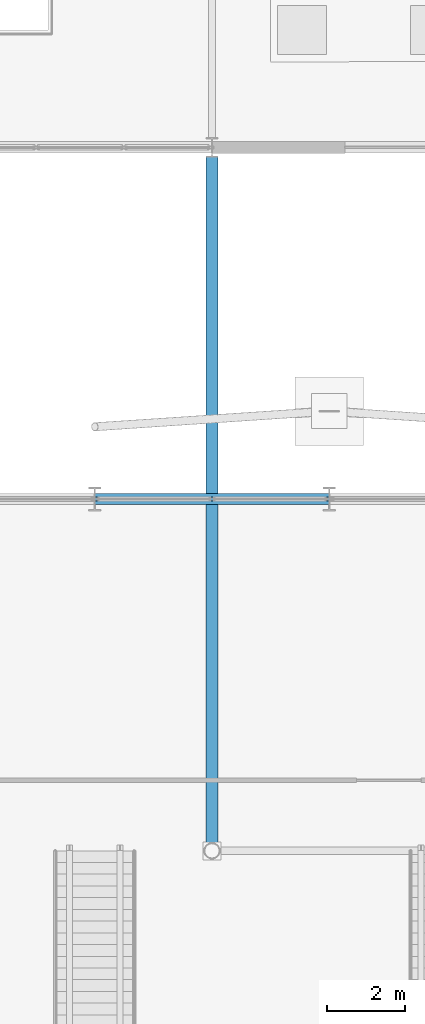
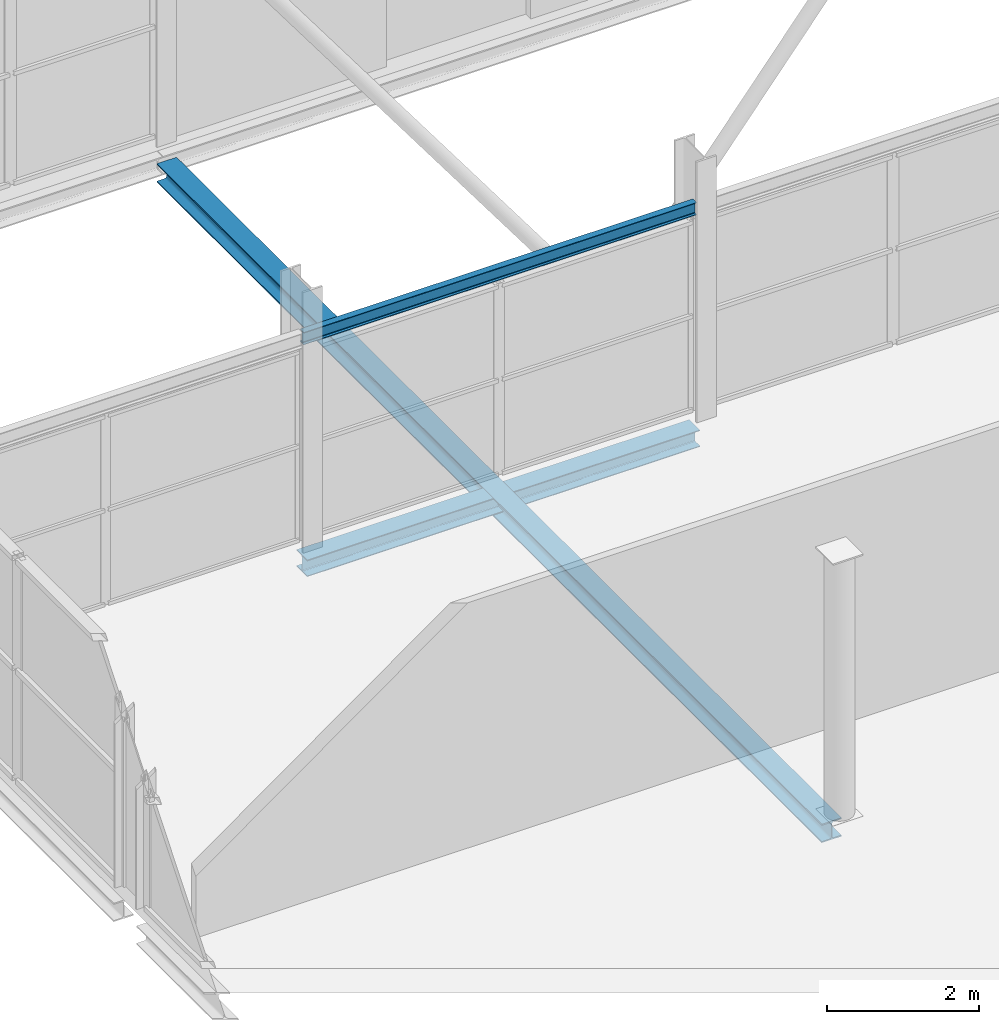
# One storey, part 38 of 140: 3 beams.
"""IFC4 building model written with IfcOpenShell, lengths in metres."""

from ifc_helpers import new_model, si_unit, direction, frame, origin, origin_2d, place, context, subcontext, project, spatial, i_section, extrude, material, material_profile, profile_set, type_object, element, save


model = new_model("IFC4")

# Units and contexts
model_context = context("Model", 3, precision=1e-05, world=origin(), true_north=direction((0.0, 1.0)))
body_context = subcontext(model_context, "Body", "Model", "MODEL_VIEW")
ifc_project = project(units=[si_unit("LENGTHUNIT", "METRE"), si_unit("AREAUNIT", "SQUARE_METRE"), si_unit("VOLUMEUNIT", "CUBIC_METRE"), si_unit("PLANEANGLEUNIT", "RADIAN"), si_unit("MASSUNIT", "GRAM", prefix="KILO")], contexts=[model_context])

# Site, building, storey
site_placement = place(None, origin())
site = spatial("IfcSite", under=ifc_project, at=site_placement, CompositionType="ELEMENT")
building_placement = place(site_placement, origin())
building = spatial("IfcBuilding", under=site, at=building_placement, Name="Deido Ridge Mobility Hub", CompositionType="ELEMENT")
storey_placement = place(building_placement, origin())
storey = spatial("IfcBuildingStorey", under=building, at=storey_placement, Name="L00", CompositionType="ELEMENT", Elevation=0.0)

# Beams
ifc_material = material(Name="Steel S355J2 EN 10025-2", Category="steel")
ifc_material_profile_1 = material_profile(ifc_material, i_section(OverallWidth=0.10009765625, OverallDepth=0.199951171875, WebThickness=0.005615234375, FlangeThickness=0.008544921875, FilletRadius=0.011962890625, at=origin_2d()), Name="IPE 200")
ifc_profile_set_1 = profile_set([ifc_material_profile_1], Name="Steel S355J2 EN 10025-2")
beam_type_1 = type_object("IfcBeamType", Name="LNT-IPE200", PredefinedType="LINTEL", material=ifc_profile_set_1)
beam_1_placement = place(storey_placement, frame((6.0078125, 36.0, 3.25), z_axis=(1.0, 0.0, 0.0), x_axis=(0.0, 1.0, 0.0)))
element("IfcBeam", 1, at=beam_1_placement, inside=storey, type_object=beam_type_1, Name="Opening lintel LN2", PredefinedType="LINTEL", context=body_context, shape_type="SweptSolid", body=[
    extrude(i_section(OverallWidth=0.10009765625, OverallDepth=0.199951171875, WebThickness=0.005615234375, FlangeThickness=0.008544921875, FilletRadius=0.011962890625, at=origin_2d()), origin(), (0.0, 0.0, 1.0), 5.984375),
])
ifc_material_profile_2 = material_profile(ifc_material, i_section(OverallWidth=0.280029296875, OverallDepth=0.27001953125, WebThickness=0.008056640625, FlangeThickness=0.012939453125, FilletRadius=0.02392578125, at=origin_2d()), Name="HEA 280")
ifc_profile_set_2 = profile_set([ifc_material_profile_2], Name="Steel S355J2 EN 10025-2")
beam_type_2 = type_object("IfcBeamType", Name="SPD-HEA280", PredefinedType="SPANDREL", material=ifc_profile_set_2)
beam_2_placement = place(storey_placement, frame((6.0078125, 36.0, -0.39501953125), z_axis=(1.0, 0.0, 0.0), x_axis=(0.0, 1.0, 0.0)))
element("IfcBeam", 2, at=beam_2_placement, inside=storey, type_object=beam_type_2, Name="Floor beam SP2", PredefinedType="SPANDREL", context=body_context, shape_type="SweptSolid", body=[
    extrude(i_section(OverallWidth=0.280029296875, OverallDepth=0.27001953125, WebThickness=0.008056640625, FlangeThickness=0.012939453125, FilletRadius=0.02392578125, at=origin_2d()), origin(), (0.0, 0.0, 1.0), 5.984375),
])
ifc_material_profile_3 = material_profile(ifc_material, i_section(OverallWidth=0.300048828125, OverallDepth=0.300048828125, WebThickness=0.010986328125, FlangeThickness=0.01904296875, FilletRadius=0.027099609375, at=origin_2d()), Name="HEB 300")
ifc_profile_set_3 = profile_set([ifc_material_profile_3], Name="Steel S355J2 EN 10025-2")
beam_type_3 = type_object("IfcBeamType", Name="SPD-HEB300", PredefinedType="SPANDREL", material=ifc_profile_set_3)
beam_3_placement = place(storey_placement, frame((9.0, 27.203125, -0.409912109375), z_axis=(0.0, 1.0, 0.0), x_axis=(-1.0, 0.0, 0.0)))
element("IfcBeam", 3, at=beam_3_placement, inside=storey, type_object=beam_type_3, Name="Floor beam SP1", PredefinedType="SPANDREL", context=body_context, shape_type="SweptSolid", body=[
    extrude(i_section(OverallWidth=0.300048828125, OverallDepth=0.300048828125, WebThickness=0.010986328125, FlangeThickness=0.01904296875, FilletRadius=0.027099609375, at=origin_2d()), origin(), (0.0, 0.0, 1.0), 17.546875),
])

save(model, "model.ifc")
